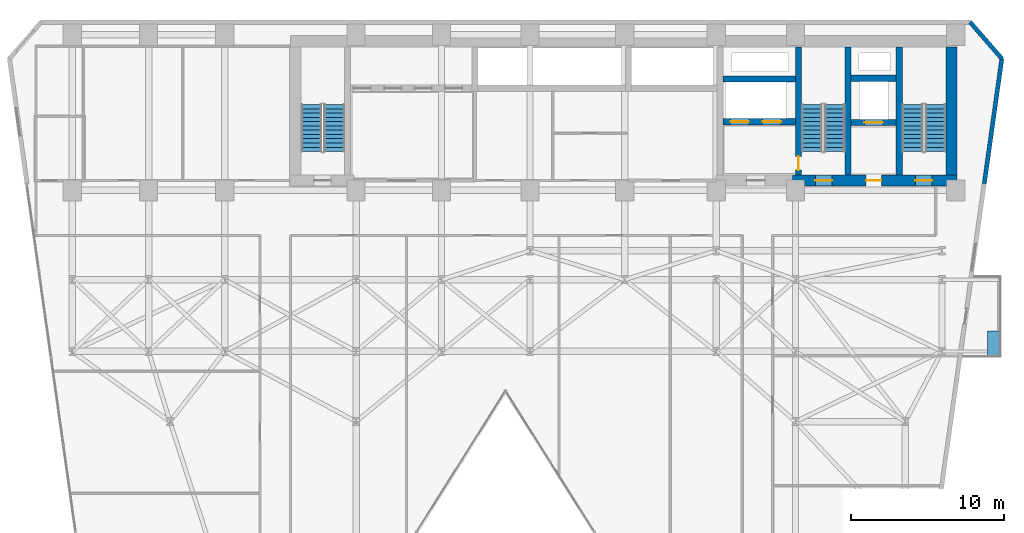
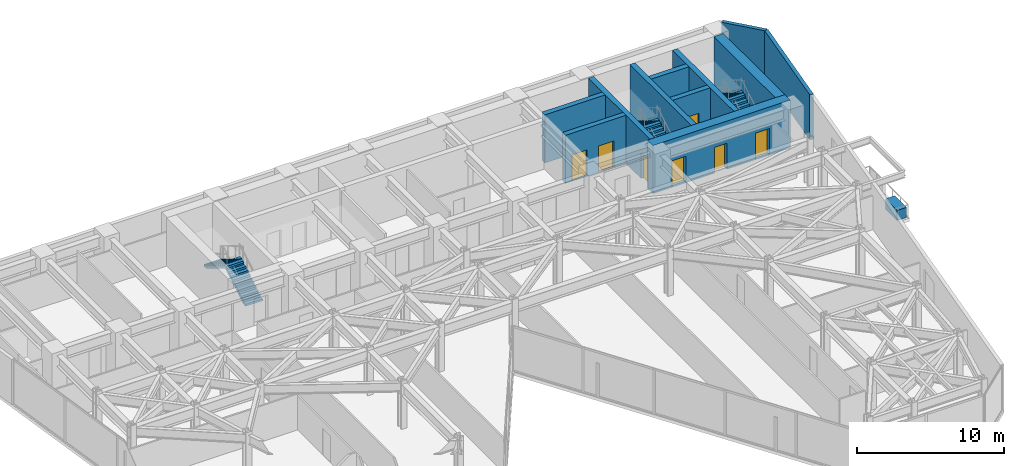
# One storey, part 21 of 24: 11 walls, 7 doors, 6 stair flights, 1 discrete accessory, 7 openings, 3 elements without a shape of their own.
"""IFC4 building model written with IfcOpenShell, lengths in metres."""

import ifcopenshell
import ifcopenshell.guid

model = None  # the IFC model being written
_history = None  # IfcOwnerHistory: only IFC2X3 demands one
_inside = {}  # id of a spatial element -> (the spatial element, [elements in it])
_under = {}  # id of a project, library or spatial element -> (it, [spatial elements below it])
_declared = {}  # id of a project -> (the project, [libraries it declares])
_typed = {}  # id of a type object -> (the type object, [elements of that type])
_made_of = {}  # id of a material, layer set ... -> (it, [elements and type objects made of it])


def new_model(schema):
    """Start an empty IFC model of exactly this schema.

    Asked for "IFC4X3", IfcOpenShell would pick the latest addendum, in which some entities
    have other attributes; the version numbers below select the first issue.
    IFC2X3 requires an IfcOwnerHistory on every rooted entity: one is made here for all.
    """
    global model, _history
    if schema == "IFC4X3":
        model = ifcopenshell.file(schema_version=(4, 3, 0, 0))
    else:
        model = ifcopenshell.file(schema=schema)
    _inside.clear()
    _under.clear()
    _declared.clear()
    _typed.clear()
    _made_of.clear()
    _history = None
    if model.schema == "IFC2X3":
        org = make("IfcOrganization", Name="unknown")
        user = make(
            "IfcPersonAndOrganization",
            ThePerson=make("IfcPerson", FamilyName="unknown"),
            TheOrganization=org,
        )
        app = make(
            "IfcApplication",
            ApplicationDeveloper=org,
            Version="unknown",
            ApplicationFullName="unknown",
            ApplicationIdentifier="unknown",
        )
        _history = make(
            "IfcOwnerHistory",
            OwningUser=user,
            OwningApplication=app,
            ChangeAction="ADDED",
            CreationDate=0,
        )
    return model


def make(cls, **values):
    """One entity of the class cls with the attributes given. An attribute that is None is left unset."""
    return model.create_entity(
        cls, **{name: value for name, value in values.items() if value is not None}
    )


def rooted(cls, **values):
    """An entity with a GlobalId (a new one), such as an element, a storey or a relation."""
    return make(cls, GlobalId=ifcopenshell.guid.new(), OwnerHistory=_history, **values)


def si_unit(unit_type, name, prefix=None):
    """IfcSIUnit, for example si_unit("LENGTHUNIT", "METRE", prefix="MILLI")."""
    return make("IfcSIUnit", UnitType=unit_type, Prefix=prefix, Name=name)


def assignment(units):
    """IfcUnitAssignment: the units of a project."""
    return None if units is None else make("IfcUnitAssignment", Units=units)


def point(xyz):
    """IfcCartesianPoint."""
    return None if xyz is None else make("IfcCartesianPoint", Coordinates=xyz)


def direction(xyz):
    """IfcDirection."""
    return None if xyz is None else make("IfcDirection", DirectionRatios=xyz)


def frame(location, z_axis=None, x_axis=None):
    """IfcAxis2Placement3D, a coordinate frame: its origin and axes. An axis left out is left unset."""
    return make(
        "IfcAxis2Placement3D",
        Location=point(location),
        Axis=direction(z_axis),
        RefDirection=direction(x_axis),
    )


def frame_2d(location, x_axis=None):
    """IfcAxis2Placement2D, a coordinate frame in the plane: its origin and x axis."""
    return make(
        "IfcAxis2Placement2D", Location=point(location), RefDirection=direction(x_axis)
    )


def origin():
    """The frame at (0, 0, 0) with its axes left unset."""
    return frame((0.0, 0.0, 0.0))


def origin_2d():
    """The frame at (0, 0) in the plane with its x axis left unset."""
    return frame_2d((0.0, 0.0))


def place(relative_to, where):
    """IfcLocalPlacement: puts the frame where relative to a parent placement (None: the world)."""
    return make(
        "IfcLocalPlacement", PlacementRelTo=relative_to, RelativePlacement=where
    )


def context(
    kind, dimensions, precision=None, world=None, true_north=None, identifier=None
):
    """IfcGeometricRepresentationContext, for example the 3D "Model" context."""
    return make(
        "IfcGeometricRepresentationContext",
        ContextIdentifier=identifier,
        ContextType=kind,
        CoordinateSpaceDimension=dimensions,
        Precision=precision,
        WorldCoordinateSystem=world,
        TrueNorth=true_north,
    )


def subcontext(parent, identifier, kind, view, scale=None):
    """IfcGeometricRepresentationSubContext, for example "Body" below "Model"."""
    return make(
        "IfcGeometricRepresentationSubContext",
        ContextIdentifier=identifier,
        ContextType=kind,
        ParentContext=parent,
        TargetScale=scale,
        TargetView=view,
    )


def project(units=None, contexts=None):
    """IfcProject with its units and contexts."""
    return rooted(
        "IfcProject",
        Name="project",
        RepresentationContexts=contexts,
        UnitsInContext=assignment(units),
    )


def spatial(cls, under=None, at=None, **own):
    """A site, building, storey or space (cls), placed at a placement, below another one or the project."""
    s = rooted(cls, ObjectPlacement=at, **own)
    if under is not None:
        _under.setdefault(under.id(), (under, []))[1].append(s)
    return s


def polyline(points):
    """IfcPolyline through the points."""
    return make("IfcPolyline", Points=[point(p) for p in points])


def profile(cls, at=None, kind="AREA", **sizes):
    """A parametric profile (cls). Its sizes go by their IFC names, for example OverallWidth=200.0."""
    return make(cls, ProfileType=kind, Position=at, **sizes)


def rectangle(**sizes):
    """IfcRectangleProfileDef."""
    return profile("IfcRectangleProfileDef", **sizes)


def outline(outer, holes=None, kind="AREA"):
    """IfcArbitraryClosedProfileDef: a profile drawn as a closed curve; with holes, ...WithVoids."""
    if holes is None:
        return make("IfcArbitraryClosedProfileDef", ProfileType=kind, OuterCurve=outer)
    return make(
        "IfcArbitraryProfileDefWithVoids",
        ProfileType=kind,
        OuterCurve=outer,
        InnerCurves=holes,
    )


def extrude(swept, where, along, depth):
    """IfcExtrudedAreaSolid: the profile swept, set in the frame where, extruded along a direction by depth."""
    return make(
        "IfcExtrudedAreaSolid",
        SweptArea=swept,
        Position=where,
        ExtrudedDirection=direction(along),
        Depth=depth,
    )


def shape(context_of_items, identifier, shape_type, items):
    """IfcShapeRepresentation: the items that make up one representation, for example the "Body"."""
    return make(
        "IfcShapeRepresentation",
        ContextOfItems=context_of_items,
        RepresentationIdentifier=identifier,
        RepresentationType=shape_type,
        Items=items,
    )


def material(Name=None, Category=None):
    """IfcMaterial."""
    return make("IfcMaterial", Name=Name, Category=Category)


def layer(
    of_material, thickness, ventilated=None, Name=None, Category=None, Priority=None
):
    """IfcMaterialLayer: one layer of a wall or slab, of a material (None: an air gap)."""
    return make(
        "IfcMaterialLayer",
        Material=of_material,
        LayerThickness=thickness,
        IsVentilated=ventilated,
        Name=Name,
        Category=Category,
        Priority=Priority,
    )


def layer_set(layers, Name=None):
    """IfcMaterialLayerSet."""
    return make("IfcMaterialLayerSet", MaterialLayers=layers, LayerSetName=Name)


def made_of(thing, what):
    """Note that an element or type object is made of a material, layer set ...; save() writes the relation."""
    if what is not None:
        _made_of.setdefault(what.id(), (what, []))[1].append(thing)
    return thing


def type_object(cls, material=None, **own):
    """A type object (cls), such as IfcWallType, which elements share."""
    return made_of(rooted(cls, **own), material)


def element(
    cls,
    number,
    at=None,
    inside=None,
    cuts=None,
    type_object=None,
    material=None,
    context=None,
    identifier="Body",
    shape_type=None,
    held_by="IfcProductDefinitionShape",
    body=None,
    shapes=None,
    **own,
):
    """One element of the class cls, such as IfcWall. Its Tag is "e" and its number.

    at: its placement. inside: the storey or other place that contains it. cuts: it is an
    opening in that element (IfcRelVoidsElement). A single representation is given by context,
    identifier, shape_type and body (its items); several are given by shapes. held_by: the class
    of the entity that holds the representations. save() writes the other relations.
    """
    e = rooted(cls, Tag="e%d" % number, ObjectPlacement=at, **own)
    if body is not None:
        shapes = [shape(context, identifier, shape_type, body)]
    if shapes is not None:
        e.Representation = make(held_by, Representations=shapes)
    if inside is not None:
        _inside.setdefault(inside.id(), (inside, []))[1].append(e)
    if cuts is not None:
        rooted(
            "IfcRelVoidsElement", RelatingBuildingElement=cuts, RelatedOpeningElement=e
        )
    if type_object is not None:
        _typed.setdefault(type_object.id(), (type_object, []))[1].append(e)
    return made_of(e, material)


def fill(opening, filler):
    """IfcRelFillsElement: the door or window that sits in an opening."""
    return rooted(
        "IfcRelFillsElement",
        RelatingOpeningElement=opening,
        RelatedBuildingElement=filler,
    )


def aggregate(whole, parts):
    """IfcRelAggregates: a whole, such as a stair, and the parts it consists of."""
    return rooted("IfcRelAggregates", RelatingObject=whole, RelatedObjects=parts)


def save(model, path):
    """Write the relations noted so far, then the file.

    IfcRelAggregates (storeys below a building ...), IfcRelContainedInSpatialStructure (elements
    in a storey), IfcRelDefinesByType, IfcRelAssociatesMaterial and IfcRelDeclares: one each for
    every whole, place, type object, material and project.
    """
    for whole, parts in _under.values():
        aggregate(whole, parts)
    for where, things in _inside.values():
        rooted(
            "IfcRelContainedInSpatialStructure",
            RelatedElements=things,
            RelatingStructure=where,
        )
    for kind, things in _typed.values():
        rooted("IfcRelDefinesByType", RelatedObjects=things, RelatingType=kind)
    for what, things in _made_of.values():
        rooted("IfcRelAssociatesMaterial", RelatedObjects=things, RelatingMaterial=what)
    for by, libraries in _declared.values():
        rooted("IfcRelDeclares", RelatingContext=by, RelatedDefinitions=libraries)
    model.write(path)


model = new_model("IFC4")

# Units and contexts
model_context = context("Model", 3, precision=1e-05, world=origin(), true_north=direction((0.0, 1.0)))
body_context = subcontext(model_context, "Body", "Model", "MODEL_VIEW")
ifc_project = project(units=[si_unit("LENGTHUNIT", "METRE"), si_unit("AREAUNIT", "SQUARE_METRE"), si_unit("VOLUMEUNIT", "CUBIC_METRE"), si_unit("PLANEANGLEUNIT", "RADIAN"), si_unit("MASSUNIT", "GRAM", prefix="KILO")], contexts=[model_context])

# Site, building, storey
site_placement = place(None, origin())
site = spatial("IfcSite", under=ifc_project, at=site_placement, CompositionType="ELEMENT")
building_placement = place(site_placement, origin())
building = spatial("IfcBuilding", under=site, at=building_placement, Name="Kravanh Interchange Tower", CompositionType="ELEMENT")
storey_placement = place(building_placement, frame((0.0, 0.0, 53.5)))
storey = spatial("IfcBuildingStorey", under=building, at=storey_placement, Name="L12", CompositionType="ELEMENT", Elevation=53.5)

# Walls
ifc_material_1 = material(Name="Concrete C80/95", Category="concrete")
ifc_layer_1 = layer(ifc_material_1, 0.39990234375)
ifc_layer_set_1 = layer_set([ifc_layer_1], Name="Core Shear Wall Concrete C80/95 400mm")
wall_type_1 = type_object("IfcWallType", Name="Core Shear Wall Concrete C80/95 400mm", PredefinedType="SHEAR", material=ifc_layer_set_1)
for number, where, z_axis, x_axis, name in (
    (1, (62.800048828125, 38.375, 0.0), (0.0, 0.0, 1.0), (0.0, 1.0, 0.0), "L12 Stair ST1 West Shear Wall"),
    (2, (59.449951171875, 38.375, 0.0), (0.0, 0.0, 1.0), (0.0, 1.0, 0.0), "L12 Stair ST2 East Shear Wall"),
):
    element("IfcWall", number, at=place(storey_placement, frame(where, z_axis=z_axis, x_axis=x_axis)), inside=storey, type_object=wall_type_1, Name=name, PredefinedType="SHEAR", context=body_context, shape_type="SweptSolid", body=[
        extrude(rectangle(XDim=8.375, YDim=0.39990234375, at=frame_2d((4.1875, 0.0))), origin(), (0.0, 0.0, 1.0), 4.0),
    ])

# Wall, opening, door
wall_1_placement = place(storey_placement, frame((56.199951171875, 38.375, 0.0), z_axis=(0.0, 0.0, 1.0), x_axis=(0.0, 1.0, 0.0)))
wall_1 = element("IfcWall", 3, at=wall_1_placement, inside=storey, type_object=wall_type_1, Name="L12 Stair ST2 West Shear Wall", PredefinedType="SHEAR", context=body_context, shape_type="SweptSolid", body=[
    extrude(rectangle(XDim=8.375, YDim=0.39990234375, at=frame_2d((4.1875, 0.0))), origin(), (0.0, 0.0, 1.0), 4.0),
])
opening_1_placement = place(wall_1_placement, frame((0.304931640625, 0.0, 0.0)))
opening_1 = element("IfcOpeningElement", 4, at=opening_1_placement, cuts=wall_1, Name="Opening D-STAIR-90", PredefinedType="OPENING", context=body_context, shape_type="SweptSolid", body=[
    extrude(rectangle(XDim=0.89990234375, YDim=2.14990234375, at=frame_2d((0.449951171875, 1.074951171875))), frame((0.0, 0.2099609375, 0.0), z_axis=(0.0, -1.0, 0.0), x_axis=(1.0, 0.0, 0.0)), (0.0, 0.0, 1.0), 0.419921875),
])
ifc_material_2 = material(Name="Structural Steel S355", Category="steel")
door_type_1 = type_object("IfcDoorType", Name="Fire-Rated Stair Lobby Door 900x2150", OperationType="NOTDEFINED", PredefinedType="DOOR", material=ifc_material_2)
door_1_placement = place(opening_1_placement, origin())
door_1 = element("IfcDoor", 5, at=door_1_placement, inside=storey, type_object=door_type_1, Name="L12 Firefighting Lobby to Stair ST2 Door", OperationType="SINGLE_SWING_LEFT", OverallHeight=2.14990234375, OverallWidth=0.89990234375, PredefinedType="DOOR", context=body_context, shape_type="SweptSolid", body=[
    extrude(rectangle(XDim=0.89990234375, YDim=2.14990234375, at=frame_2d((0.449951171875, 1.074951171875))), frame((0.0, 0.02490234375, 0.0), z_axis=(0.0, -1.0, 0.0), x_axis=(1.0, 0.0, 0.0)), (0.0, 0.0, 1.0), 0.050048828125),
])
fill(opening_1, door_1)

wall_2_placement = place(storey_placement, frame((59.64990234375, 41.800048828125, 0.0), z_axis=(0.0, 0.0, 1.0), x_axis=(1.0, 0.0, 0.0)))
wall_2 = element("IfcWall", 6, at=wall_2_placement, inside=storey, type_object=wall_type_1, Name="L12 Service Lift Shaft South Wall", PredefinedType="SHEAR", context=body_context, shape_type="SweptSolid", body=[
    extrude(rectangle(XDim=2.9501953125, YDim=0.39990234375, at=frame_2d((1.47509765625, 0.0))), origin(), (0.0, 0.0, 1.0), 4.0),
])
opening_2_placement = place(wall_2_placement, frame((0.8701171875, 0.0, 0.0)))
opening_2 = element("IfcOpeningElement", 7, at=opening_2_placement, cuts=wall_2, Name="Opening LD02", PredefinedType="OPENING", context=body_context, shape_type="SweptSolid", body=[
    extrude(rectangle(XDim=1.199951171875, YDim=2.199951171875, at=frame_2d((0.60009765625, 1.10009765625))), frame((0.0, 0.2099609375, 0.0), z_axis=(0.0, -1.0, 0.0), x_axis=(1.0, 0.0, 0.0)), (0.0, 0.0, 1.0), 0.419921875),
])
ifc_material_3 = material(Name="Stainless Steel 316", Category="steel")
door_type_2 = type_object("IfcDoorType", Name="Fire and Service Lift Sliding Landing Door 1200x2200", OperationType="DOUBLE_DOOR_SLIDING", PredefinedType="DOOR", material=ifc_material_3)
door_2_placement = place(opening_2_placement, origin())
door_2 = element("IfcDoor", 8, at=door_2_placement, inside=storey, type_object=door_type_2, Name="L12 Lift LS-01 Landing Door", OperationType="DOUBLE_DOOR_SLIDING", OverallHeight=2.199951171875, OverallWidth=1.199951171875, PredefinedType="DOOR", context=body_context, shape_type="SweptSolid", body=[
    extrude(rectangle(XDim=1.199951171875, YDim=2.199951171875, at=frame_2d((0.60009765625, 1.10009765625))), frame((0.0, 0.02490234375, 0.0), z_axis=(0.0, -1.0, 0.0), x_axis=(1.0, 0.0, 0.0)), (0.0, 0.0, 1.0), 0.050048828125),
])
fill(opening_2, door_2)

# Wall
wall_3_placement = place(storey_placement, frame((59.64990234375, 44.699951171875, 0.0), z_axis=(0.0, 0.0, 1.0), x_axis=(1.0, 0.0, 0.0)))
element("IfcWall", 9, at=wall_3_placement, inside=storey, type_object=wall_type_1, Name="L12 Service Lift Shaft North Wall", PredefinedType="SHEAR", context=body_context, shape_type="SweptSolid", body=[
    extrude(rectangle(XDim=2.9501953125, YDim=0.39990234375, at=frame_2d((1.47509765625, 0.0))), origin(), (0.0, 0.0, 1.0), 4.0),
])

# Wall, openings, doors
wall_4_placement = place(storey_placement, frame((51.25, 41.85009765625, 0.0), z_axis=(0.0, 0.0, 1.0), x_axis=(1.0, 0.0, 0.0)))
wall_4 = element("IfcWall", 10, at=wall_4_placement, inside=storey, type_object=wall_type_1, Name="L12 Fire Lift Shaft South Wall", PredefinedType="SHEAR", context=body_context, shape_type="SweptSolid", body=[
    extrude(rectangle(XDim=4.75, YDim=0.39990234375, at=frame_2d((2.375, 0.0))), origin(), (0.0, 0.0, 1.0), 4.0),
])
opening_3_placement = place(wall_4_placement, frame((0.5, 0.0, 0.0)))
opening_3 = element("IfcOpeningElement", 11, at=opening_3_placement, cuts=wall_4, Name="Opening LD02", PredefinedType="OPENING", context=body_context, shape_type="SweptSolid", body=[
    extrude(rectangle(XDim=1.199951171875, YDim=2.199951171875, at=frame_2d((0.60009765625, 1.10009765625))), frame((0.0, 0.2099609375, 0.0), z_axis=(0.0, -1.0, 0.0), x_axis=(1.0, 0.0, 0.0)), (0.0, 0.0, 1.0), 0.419921875),
])
opening_4_placement = place(wall_4_placement, frame((2.60009765625, 0.0, 0.0)))
opening_4 = element("IfcOpeningElement", 12, at=opening_4_placement, cuts=wall_4, Name="Opening LD02", PredefinedType="OPENING", context=body_context, shape_type="SweptSolid", body=[
    extrude(rectangle(XDim=1.199951171875, YDim=2.199951171875, at=frame_2d((0.60009765625, 1.10009765625))), frame((0.0, 0.2099609375, 0.0), z_axis=(0.0, -1.0, 0.0), x_axis=(1.0, 0.0, 0.0)), (0.0, 0.0, 1.0), 0.419921875),
])
door_3_placement = place(opening_3_placement, origin())
door_3 = element("IfcDoor", 13, at=door_3_placement, inside=storey, type_object=door_type_2, Name="L12 Lift FSAE-01 Landing Door", OperationType="DOUBLE_DOOR_SLIDING", OverallHeight=2.199951171875, OverallWidth=1.199951171875, PredefinedType="DOOR", context=body_context, shape_type="SweptSolid", body=[
    extrude(rectangle(XDim=1.199951171875, YDim=2.199951171875, at=frame_2d((0.60009765625, 1.10009765625))), frame((0.0, 0.02490234375, 0.0), z_axis=(0.0, -1.0, 0.0), x_axis=(1.0, 0.0, 0.0)), (0.0, 0.0, 1.0), 0.050048828125),
])
fill(opening_3, door_3)
door_4_placement = place(opening_4_placement, origin())
door_4 = element("IfcDoor", 14, at=door_4_placement, inside=storey, type_object=door_type_2, Name="L12 Lift FSAE-02 Landing Door", OperationType="DOUBLE_DOOR_SLIDING", OverallHeight=2.199951171875, OverallWidth=1.199951171875, PredefinedType="DOOR", context=body_context, shape_type="SweptSolid", body=[
    extrude(rectangle(XDim=1.199951171875, YDim=2.199951171875, at=frame_2d((0.60009765625, 1.10009765625))), frame((0.0, 0.02490234375, 0.0), z_axis=(0.0, -1.0, 0.0), x_axis=(1.0, 0.0, 0.0)), (0.0, 0.0, 1.0), 0.050048828125),
])
fill(opening_4, door_4)

# Wall
wall_5_placement = place(storey_placement, frame((51.25, 44.64990234375, 0.0), z_axis=(0.0, 0.0, 1.0), x_axis=(1.0, 0.0, 0.0)))
element("IfcWall", 15, at=wall_5_placement, inside=storey, type_object=wall_type_1, Name="L12 Fire Lift Shaft North Wall", PredefinedType="SHEAR", context=body_context, shape_type="SweptSolid", body=[
    extrude(rectangle(XDim=4.75, YDim=0.39990234375, at=frame_2d((2.375, 0.0))), origin(), (0.0, 0.0, 1.0), 4.0),
])

# Wall, openings, doors
ifc_material_4 = material(Name="Concrete C80/95", Category="concrete")
ifc_layer_2 = layer(ifc_material_4, 0.75)
ifc_layer_set_2 = layer_set([ifc_layer_2], Name="Core Shear Wall Concrete C80/95 750mm")
wall_type_2 = type_object("IfcWallType", Name="Core Shear Wall Concrete C80/95 750mm", PredefinedType="SHEAR", material=ifc_layer_set_2)
wall_6_placement = place(storey_placement, frame((55.800048828125, 38.0, 0.0), z_axis=(0.0, 0.0, 1.0), x_axis=(1.0, 0.0, 0.0)))
wall_6 = element("IfcWall", 16, at=wall_6_placement, inside=storey, type_object=wall_type_2, Name="L12 East Core South Shear Wall", PredefinedType="SHEAR", context=body_context, shape_type="SweptSolid", body=[
    extrude(rectangle(XDim=10.800048828125, YDim=0.75, at=frame_2d((5.39990234375, 0.0))), origin(), (0.0, 0.0, 1.0), 4.0),
])
opening_5_placement = place(wall_6_placement, frame((1.5, 0.0, 0.0)))
opening_5 = element("IfcOpeningElement", 17, at=opening_5_placement, cuts=wall_6, Name="Opening D-STAIR-110", PredefinedType="OPENING", context=body_context, shape_type="SweptSolid", body=[
    extrude(rectangle(XDim=1.10009765625, YDim=2.199951171875, at=frame_2d((0.550048828125, 1.10009765625))), frame((0.0, 0.385009765625, 0.0), z_axis=(0.0, -1.0, 0.0), x_axis=(1.0, 0.0, 0.0)), (0.0, 0.0, 1.0), 0.77001953125),
])
opening_6_placement = place(wall_6_placement, frame((4.820068359375, 0.0, 0.0)))
opening_6 = element("IfcOpeningElement", 18, at=opening_6_placement, cuts=wall_6, Name="Opening D-HOTEL-100", PredefinedType="OPENING", context=body_context, shape_type="SweptSolid", body=[
    extrude(rectangle(XDim=1.0, YDim=2.14990234375, at=frame_2d((0.5, 1.074951171875))), frame((0.0, 0.385009765625, 0.0), z_axis=(0.0, -1.0, 0.0), x_axis=(1.0, 0.0, 0.0)), (0.0, 0.0, 1.0), 0.77001953125),
])
opening_7_placement = place(wall_6_placement, frame((8.050048828125, 0.0, 0.0)))
opening_7 = element("IfcOpeningElement", 19, at=opening_7_placement, cuts=wall_6, Name="Opening D-STAIR-110", PredefinedType="OPENING", context=body_context, shape_type="SweptSolid", body=[
    extrude(rectangle(XDim=1.10009765625, YDim=2.199951171875, at=frame_2d((0.550048828125, 1.10009765625))), frame((0.0, 0.385009765625, 0.0), z_axis=(0.0, -1.0, 0.0), x_axis=(1.0, 0.0, 0.0)), (0.0, 0.0, 1.0), 0.77001953125),
])
ifc_material_5 = material(Name="Structural Steel S355", Category="steel")
door_type_3 = type_object("IfcDoorType", Name="Fire-Rated Exit Stair Door 1100x2200", OperationType="NOTDEFINED", PredefinedType="DOOR", material=ifc_material_5)
door_5_placement = place(opening_5_placement, origin())
door_5 = element("IfcDoor", 20, at=door_5_placement, inside=storey, type_object=door_type_3, Name="L12 Exit Stair ST2 Door", OperationType="SINGLE_SWING_RIGHT", OverallHeight=2.199951171875, OverallWidth=1.10009765625, PredefinedType="DOOR", context=body_context, shape_type="SweptSolid", body=[
    extrude(rectangle(XDim=1.10009765625, YDim=2.199951171875, at=frame_2d((0.550048828125, 1.10009765625))), frame((0.0, 0.02490234375, 0.0), z_axis=(0.0, -1.0, 0.0), x_axis=(1.0, 0.0, 0.0)), (0.0, 0.0, 1.0), 0.050048828125),
])
fill(opening_5, door_5)
door_6_placement = place(opening_7_placement, origin())
door_6 = element("IfcDoor", 21, at=door_6_placement, inside=storey, type_object=door_type_3, Name="L12 Exit Stair ST1 Door", OperationType="SINGLE_SWING_RIGHT", OverallHeight=2.199951171875, OverallWidth=1.10009765625, PredefinedType="DOOR", context=body_context, shape_type="SweptSolid", body=[
    extrude(rectangle(XDim=1.10009765625, YDim=2.199951171875, at=frame_2d((0.550048828125, 1.10009765625))), frame((0.0, 0.02490234375, 0.0), z_axis=(0.0, -1.0, 0.0), x_axis=(1.0, 0.0, 0.0)), (0.0, 0.0, 1.0), 0.050048828125),
])
fill(opening_7, door_6)
ifc_material_6 = material(Name="Fire-Rated Solid Timber Leaf", Category="wood")
door_type_4 = type_object("IfcDoorType", Name="Fire-Rated Suite Entrance Door 1000x2150", OperationType="NOTDEFINED", PredefinedType="DOOR", material=ifc_material_6)
door_7_placement = place(opening_6_placement, origin())
door_7 = element("IfcDoor", 22, at=door_7_placement, inside=storey, type_object=door_type_4, Name="L12 Service Lift Lobby Door", OperationType="SINGLE_SWING_RIGHT", OverallHeight=2.14990234375, OverallWidth=1.0, PredefinedType="DOOR", context=body_context, shape_type="SweptSolid", body=[
    extrude(rectangle(XDim=1.0, YDim=2.14990234375, at=frame_2d((0.5, 1.074951171875))), frame((0.0, 0.02490234375, 0.0), z_axis=(0.0, -1.0, 0.0), x_axis=(1.0, 0.0, 0.0)), (0.0, 0.0, 1.0), 0.050048828125),
])
fill(opening_6, door_7)

# Walls
wall_7_placement = place(storey_placement, frame((66.22509765625, 38.375, 0.0), z_axis=(0.0, 0.0, 1.0), x_axis=(0.0, 1.0, 0.0)))
element("IfcWall", 23, at=wall_7_placement, inside=storey, type_object=wall_type_2, Name="L12 Stair ST1 East Shear Wall", PredefinedType="SHEAR", context=body_context, shape_type="SweptSolid", body=[
    extrude(rectangle(XDim=8.375, YDim=0.75, at=frame_2d((4.1875, 0.0))), origin(), (0.0, 0.0, 1.0), 4.0),
])
ifc_material_7 = material(Name="Insulated Precast Concrete C40/50 with Bronze Cladding", Category="concrete")
ifc_layer_3 = layer(ifc_material_7, 0.280029296875)
ifc_layer_set_3 = layer_set([ifc_layer_3], Name="Exterior Insulated Concrete C40/50 Bronze Spandrel Wall 280mm")
wall_type_3 = type_object("IfcWallType", Name="Exterior Insulated Concrete C40/50 Bronze Spandrel Wall 280mm", PredefinedType="STANDARD", material=ifc_layer_set_3)
wall_8_placement = place(storey_placement, frame((67.4453125, 48.3798828125, 0.0), z_axis=(0.0, 0.0, 1.0), x_axis=(0.656070053895, -0.754699996278, 0.0)))
element("IfcWall", 24, at=wall_8_placement, inside=storey, type_object=wall_type_3, Name="L12 Exterior Wall 4", PredefinedType="STANDARD", context=body_context, shape_type="SweptSolid", body=[
    extrude(rectangle(XDim=3.1708984375, YDim=0.280029296875, at=frame_2d((1.58544921875, 0.0))), origin(), (0.0, 0.0, 1.0), 3.739990234375),
])
wall_9_placement = place(storey_placement, frame((69.525634765625, 45.98681640625, 0.0), z_axis=(0.0, 0.0, 1.0), x_axis=(-0.139180172484, -0.990267074878, 0.0)))
element("IfcWall", 25, at=wall_9_placement, inside=storey, type_object=wall_type_3, Name="L12 Exterior Wall 5", PredefinedType="STANDARD", context=body_context, shape_type="SweptSolid", body=[
    extrude(rectangle(XDim=8.267333984375, YDim=0.280029296875, at=frame_2d((4.1337890625, 0.0))), origin(), (0.0, 0.0, 1.0), 3.739990234375),
])

# Stair, stair flights
ifc_material_8 = material(Name="Concrete C50/60", Category="concrete")
stair_type = type_object("IfcStairType", Name="Core Fire Exit Dogleg Stair Concrete C50/60", PredefinedType="HALF_TURN_STAIR", material=ifc_material_8)
stair_1_placement = place(storey_placement, origin())
stair_1 = element("IfcStair", 26, at=stair_1_placement, inside=storey, type_object=stair_type, Name="L12 Exit Stair ST1", PredefinedType="HALF_TURN_STAIR")
ifc_material_9 = material(Name="Precast Concrete C50/60", Category="concrete")
ifc_layer_4 = layer(ifc_material_9, 0.199951171875)
ifc_layer_set_4 = layer_set([ifc_layer_4], Name="Precast Concrete C50/60 Stair Flight 1350mm")
stair_flight_type = type_object("IfcStairFlightType", Name="Precast Concrete C50/60 Stair Flight 1350mm", PredefinedType="STRAIGHT", material=ifc_layer_set_4)
stair_flight_1_placement = place(storey_placement, frame((65.175048828125, 39.89990234375, 0.0), z_axis=(0.0, 0.0, 1.0), x_axis=(0.0, 1.0, 0.0)))
stair_flight_1 = element("IfcStairFlight", 27, at=stair_flight_1_placement, type_object=stair_flight_type, Name="ST1 flight 1", NumberOfRisers=12, NumberOfTreads=11, PredefinedType="STRAIGHT", RiserHeight=0.166666667, TreadLength=0.28, context=body_context, shape_type="SweptSolid", body=[
    extrude(outline(polyline([(0.0, 0.0), (0.0, 0.166748046875), (0.280029296875, 0.166748046875), (0.280029296875, 0.333251953125), (0.56005859375, 0.333251953125), (0.56005859375, 0.5), (0.840087890625, 0.5), (0.840087890625, 0.666748046875), (1.1201171875, 0.666748046875), (1.1201171875, 0.833251953125), (1.39990234375, 0.833251953125), (1.39990234375, 1.0), (1.679931640625, 1.0), (1.679931640625, 1.166748046875), (1.9599609375, 1.166748046875), (1.9599609375, 1.333251953125), (2.239990234375, 1.333251953125), (2.239990234375, 1.5), (2.52001953125, 1.5), (2.52001953125, 1.666748046875), (2.800048828125, 1.666748046875), (2.800048828125, 1.833251953125), (3.080078125, 1.833251953125), (3.080078125, 2.0), (3.080078125, 1.658935546875), (0.29296875, 0.0), (0.0, 0.0)])), frame((0.0, 0.675048828125, 0.0), z_axis=(0.0, -1.0, 0.0), x_axis=(1.0, 0.0, 0.0)), (0.0, 0.0, 1.0), 1.35009765625),
])
stair_flight_2_placement = place(storey_placement, frame((63.675048828125, 42.97998046875, 2.0), z_axis=(0.0, 0.0, 1.0), x_axis=(0.0, -1.0, 0.0)))
stair_flight_2 = element("IfcStairFlight", 28, at=stair_flight_2_placement, type_object=stair_flight_type, Name="ST1 flight 2", NumberOfRisers=12, NumberOfTreads=11, PredefinedType="STRAIGHT", RiserHeight=0.166666667, TreadLength=0.28, context=body_context, shape_type="SweptSolid", body=[
    extrude(outline(polyline([(0.0, 0.0), (0.0, 0.166748046875), (0.280029296875, 0.166748046875), (0.280029296875, 0.333251953125), (0.56005859375, 0.333251953125), (0.56005859375, 0.5), (0.840087890625, 0.5), (0.840087890625, 0.666748046875), (1.1201171875, 0.666748046875), (1.1201171875, 0.833251953125), (1.39990234375, 0.833251953125), (1.39990234375, 1.0), (1.679931640625, 1.0), (1.679931640625, 1.166748046875), (1.9599609375, 1.166748046875), (1.9599609375, 1.333251953125), (2.239990234375, 1.333251953125), (2.239990234375, 1.5), (2.52001953125, 1.5), (2.52001953125, 1.666748046875), (2.800048828125, 1.666748046875), (2.800048828125, 1.833251953125), (3.080078125, 1.833251953125), (3.080078125, 2.0), (3.080078125, 1.658935546875), (0.29296875, 0.0), (0.0, 0.0)])), frame((0.0, 0.675048828125, 0.0), z_axis=(0.0, -1.0, 0.0), x_axis=(1.0, 0.0, 0.0)), (0.0, 0.0, 1.0), 1.35009765625),
])
aggregate(stair_1, [stair_flight_1, stair_flight_2])

stair_2_placement = place(storey_placement, origin())
stair_2 = element("IfcStair", 29, at=stair_2_placement, inside=storey, type_object=stair_type, Name="L12 Exit Stair ST2", PredefinedType="HALF_TURN_STAIR")
stair_flight_3_placement = place(storey_placement, frame((58.574951171875, 39.89990234375, 0.0), z_axis=(0.0, 0.0, 1.0), x_axis=(0.0, 1.0, 0.0)))
stair_flight_3 = element("IfcStairFlight", 30, at=stair_flight_3_placement, type_object=stair_flight_type, Name="ST2 flight 1", NumberOfRisers=12, NumberOfTreads=11, PredefinedType="STRAIGHT", RiserHeight=0.166666667, TreadLength=0.28, context=body_context, shape_type="SweptSolid", body=[
    extrude(outline(polyline([(0.0, 0.0), (0.0, 0.166748046875), (0.280029296875, 0.166748046875), (0.280029296875, 0.333251953125), (0.56005859375, 0.333251953125), (0.56005859375, 0.5), (0.840087890625, 0.5), (0.840087890625, 0.666748046875), (1.1201171875, 0.666748046875), (1.1201171875, 0.833251953125), (1.39990234375, 0.833251953125), (1.39990234375, 1.0), (1.679931640625, 1.0), (1.679931640625, 1.166748046875), (1.9599609375, 1.166748046875), (1.9599609375, 1.333251953125), (2.239990234375, 1.333251953125), (2.239990234375, 1.5), (2.52001953125, 1.5), (2.52001953125, 1.666748046875), (2.800048828125, 1.666748046875), (2.800048828125, 1.833251953125), (3.080078125, 1.833251953125), (3.080078125, 2.0), (3.080078125, 1.658935546875), (0.29296875, 0.0), (0.0, 0.0)])), frame((0.0, 0.675048828125, 0.0), z_axis=(0.0, -1.0, 0.0), x_axis=(1.0, 0.0, 0.0)), (0.0, 0.0, 1.0), 1.35009765625),
])
stair_flight_4_placement = place(storey_placement, frame((57.074951171875, 42.97998046875, 2.0), z_axis=(0.0, 0.0, 1.0), x_axis=(0.0, -1.0, 0.0)))
stair_flight_4 = element("IfcStairFlight", 31, at=stair_flight_4_placement, type_object=stair_flight_type, Name="ST2 flight 2", NumberOfRisers=12, NumberOfTreads=11, PredefinedType="STRAIGHT", RiserHeight=0.166666667, TreadLength=0.28, context=body_context, shape_type="SweptSolid", body=[
    extrude(outline(polyline([(0.0, 0.0), (0.0, 0.166748046875), (0.280029296875, 0.166748046875), (0.280029296875, 0.333251953125), (0.56005859375, 0.333251953125), (0.56005859375, 0.5), (0.840087890625, 0.5), (0.840087890625, 0.666748046875), (1.1201171875, 0.666748046875), (1.1201171875, 0.833251953125), (1.39990234375, 0.833251953125), (1.39990234375, 1.0), (1.679931640625, 1.0), (1.679931640625, 1.166748046875), (1.9599609375, 1.166748046875), (1.9599609375, 1.333251953125), (2.239990234375, 1.333251953125), (2.239990234375, 1.5), (2.52001953125, 1.5), (2.52001953125, 1.666748046875), (2.800048828125, 1.666748046875), (2.800048828125, 1.833251953125), (3.080078125, 1.833251953125), (3.080078125, 2.0), (3.080078125, 1.658935546875), (0.29296875, 0.0), (0.0, 0.0)])), frame((0.0, 0.675048828125, 0.0), z_axis=(0.0, -1.0, 0.0), x_axis=(1.0, 0.0, 0.0)), (0.0, 0.0, 1.0), 1.35009765625),
])
aggregate(stair_2, [stair_flight_3, stair_flight_4])

stair_3_placement = place(storey_placement, origin())
stair_3 = element("IfcStair", 32, at=stair_3_placement, inside=storey, type_object=stair_type, Name="L12 Exit Stair ST3", PredefinedType="HALF_TURN_STAIR")
stair_flight_5_placement = place(storey_placement, frame((25.77490234375, 39.89990234375, 0.0), z_axis=(0.0, 0.0, 1.0), x_axis=(0.0, 1.0, 0.0)))
stair_flight_5 = element("IfcStairFlight", 33, at=stair_flight_5_placement, type_object=stair_flight_type, Name="ST3 flight 1", NumberOfRisers=12, NumberOfTreads=11, PredefinedType="STRAIGHT", RiserHeight=0.166666667, TreadLength=0.28, context=body_context, shape_type="SweptSolid", body=[
    extrude(outline(polyline([(0.0, 0.0), (0.0, 0.166748046875), (0.280029296875, 0.166748046875), (0.280029296875, 0.333251953125), (0.56005859375, 0.333251953125), (0.56005859375, 0.5), (0.840087890625, 0.5), (0.840087890625, 0.666748046875), (1.1201171875, 0.666748046875), (1.1201171875, 0.833251953125), (1.39990234375, 0.833251953125), (1.39990234375, 1.0), (1.679931640625, 1.0), (1.679931640625, 1.166748046875), (1.9599609375, 1.166748046875), (1.9599609375, 1.333251953125), (2.239990234375, 1.333251953125), (2.239990234375, 1.5), (2.52001953125, 1.5), (2.52001953125, 1.666748046875), (2.800048828125, 1.666748046875), (2.800048828125, 1.833251953125), (3.080078125, 1.833251953125), (3.080078125, 2.0), (3.080078125, 1.658935546875), (0.29296875, 0.0), (0.0, 0.0)])), frame((0.0, 0.675048828125, 0.0), z_axis=(0.0, -1.0, 0.0), x_axis=(1.0, 0.0, 0.0)), (0.0, 0.0, 1.0), 1.35009765625),
])
stair_flight_6_placement = place(storey_placement, frame((24.27490234375, 42.97998046875, 2.0), z_axis=(0.0, 0.0, 1.0), x_axis=(0.0, -1.0, 0.0)))
stair_flight_6 = element("IfcStairFlight", 34, at=stair_flight_6_placement, type_object=stair_flight_type, Name="ST3 flight 2", NumberOfRisers=12, NumberOfTreads=11, PredefinedType="STRAIGHT", RiserHeight=0.166666667, TreadLength=0.28, context=body_context, shape_type="SweptSolid", body=[
    extrude(outline(polyline([(0.0, 0.0), (0.0, 0.166748046875), (0.280029296875, 0.166748046875), (0.280029296875, 0.333251953125), (0.56005859375, 0.333251953125), (0.56005859375, 0.5), (0.840087890625, 0.5), (0.840087890625, 0.666748046875), (1.1201171875, 0.666748046875), (1.1201171875, 0.833251953125), (1.39990234375, 0.833251953125), (1.39990234375, 1.0), (1.679931640625, 1.0), (1.679931640625, 1.166748046875), (1.9599609375, 1.166748046875), (1.9599609375, 1.333251953125), (2.239990234375, 1.333251953125), (2.239990234375, 1.5), (2.52001953125, 1.5), (2.52001953125, 1.666748046875), (2.800048828125, 1.666748046875), (2.800048828125, 1.833251953125), (3.080078125, 1.833251953125), (3.080078125, 2.0), (3.080078125, 1.658935546875), (0.29296875, 0.0), (0.0, 0.0)])), frame((0.0, 0.675048828125, 0.0), z_axis=(0.0, -1.0, 0.0), x_axis=(1.0, 0.0, 0.0)), (0.0, 0.0, 1.0), 1.35009765625),
])
aggregate(stair_3, [stair_flight_5, stair_flight_6])

# Discrete accessory
ifc_material_10 = material(Name="Architectural GRC Concrete C40/50 with Root Barrier", Category="concrete")
discrete_accessory_type = type_object("IfcDiscreteAccessoryType", Name="Structural Balcony Tree Planter Box Concrete C40/50 1600x750x850", PredefinedType="USERDEFINED", material=ifc_material_10)
discrete_accessory_placement = place(storey_placement, frame((68.969970703125, 27.340087890625, 0.0), z_axis=(0.0, 0.0, 1.0), x_axis=(1.0, 0.0, 0.0)))
element("IfcDiscreteAccessory", 35, at=discrete_accessory_placement, inside=storey, type_object=discrete_accessory_type, Name="L12 E Balcony TREE PLANTER", ObjectType="PLANTER", PredefinedType="USERDEFINED", context=body_context, shape_type="SweptSolid", body=[
    extrude(rectangle(XDim=0.75, YDim=1.60009765625, at=origin_2d()), origin(), (0.0, 0.0, 1.0), 0.85009765625),
])

save(model, "model.ifc")
